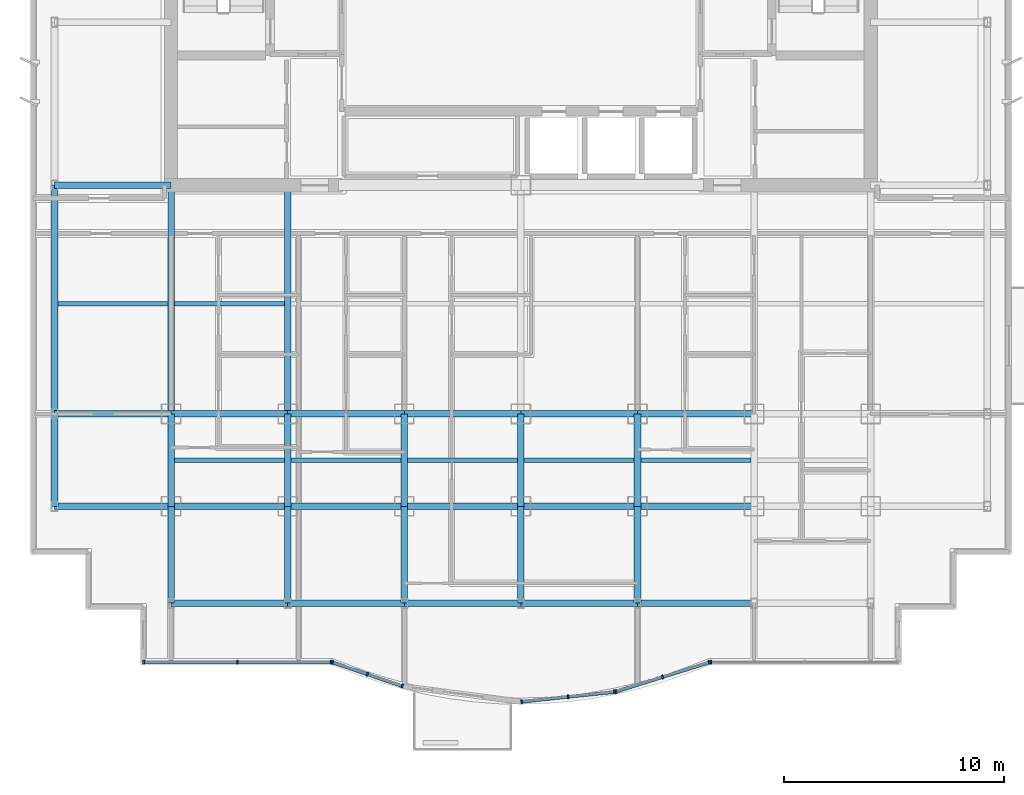
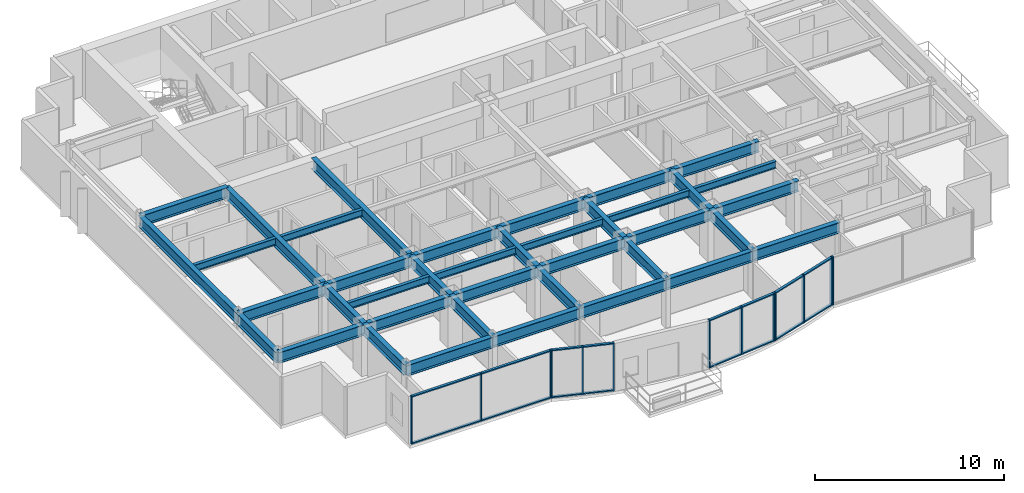
# One storey, part 2 of 11: 39 beams, 29 members, 5 elements without a shape of their own.
"""IFC4 building model written with IfcOpenShell, lengths in metres."""

import ifcopenshell
import ifcopenshell.guid

model = None  # the IFC model being written
_history = None  # IfcOwnerHistory: only IFC2X3 demands one
_inside = {}  # id of a spatial element -> (the spatial element, [elements in it])
_under = {}  # id of a project, library or spatial element -> (it, [spatial elements below it])
_declared = {}  # id of a project -> (the project, [libraries it declares])
_typed = {}  # id of a type object -> (the type object, [elements of that type])
_made_of = {}  # id of a material, layer set ... -> (it, [elements and type objects made of it])


def new_model(schema):
    """Start an empty IFC model of exactly this schema.

    Asked for "IFC4X3", IfcOpenShell would pick the latest addendum, in which some entities
    have other attributes; the version numbers below select the first issue.
    IFC2X3 requires an IfcOwnerHistory on every rooted entity: one is made here for all.
    """
    global model, _history
    if schema == "IFC4X3":
        model = ifcopenshell.file(schema_version=(4, 3, 0, 0))
    else:
        model = ifcopenshell.file(schema=schema)
    _inside.clear()
    _under.clear()
    _declared.clear()
    _typed.clear()
    _made_of.clear()
    _history = None
    if model.schema == "IFC2X3":
        org = make("IfcOrganization", Name="unknown")
        user = make(
            "IfcPersonAndOrganization",
            ThePerson=make("IfcPerson", FamilyName="unknown"),
            TheOrganization=org,
        )
        app = make(
            "IfcApplication",
            ApplicationDeveloper=org,
            Version="unknown",
            ApplicationFullName="unknown",
            ApplicationIdentifier="unknown",
        )
        _history = make(
            "IfcOwnerHistory",
            OwningUser=user,
            OwningApplication=app,
            ChangeAction="ADDED",
            CreationDate=0,
        )
    return model


def make(cls, **values):
    """One entity of the class cls with the attributes given. An attribute that is None is left unset."""
    return model.create_entity(
        cls, **{name: value for name, value in values.items() if value is not None}
    )


def rooted(cls, **values):
    """An entity with a GlobalId (a new one), such as an element, a storey or a relation."""
    return make(cls, GlobalId=ifcopenshell.guid.new(), OwnerHistory=_history, **values)


def si_unit(unit_type, name, prefix=None):
    """IfcSIUnit, for example si_unit("LENGTHUNIT", "METRE", prefix="MILLI")."""
    return make("IfcSIUnit", UnitType=unit_type, Prefix=prefix, Name=name)


def assignment(units):
    """IfcUnitAssignment: the units of a project."""
    return None if units is None else make("IfcUnitAssignment", Units=units)


def point(xyz):
    """IfcCartesianPoint."""
    return None if xyz is None else make("IfcCartesianPoint", Coordinates=xyz)


def direction(xyz):
    """IfcDirection."""
    return None if xyz is None else make("IfcDirection", DirectionRatios=xyz)


def frame(location, z_axis=None, x_axis=None):
    """IfcAxis2Placement3D, a coordinate frame: its origin and axes. An axis left out is left unset."""
    return make(
        "IfcAxis2Placement3D",
        Location=point(location),
        Axis=direction(z_axis),
        RefDirection=direction(x_axis),
    )


def frame_2d(location, x_axis=None):
    """IfcAxis2Placement2D, a coordinate frame in the plane: its origin and x axis."""
    return make(
        "IfcAxis2Placement2D", Location=point(location), RefDirection=direction(x_axis)
    )


def origin():
    """The frame at (0, 0, 0) with its axes left unset."""
    return frame((0.0, 0.0, 0.0))


def origin_2d():
    """The frame at (0, 0) in the plane with its x axis left unset."""
    return frame_2d((0.0, 0.0))


def place(relative_to, where):
    """IfcLocalPlacement: puts the frame where relative to a parent placement (None: the world)."""
    return make(
        "IfcLocalPlacement", PlacementRelTo=relative_to, RelativePlacement=where
    )


def context(
    kind, dimensions, precision=None, world=None, true_north=None, identifier=None
):
    """IfcGeometricRepresentationContext, for example the 3D "Model" context."""
    return make(
        "IfcGeometricRepresentationContext",
        ContextIdentifier=identifier,
        ContextType=kind,
        CoordinateSpaceDimension=dimensions,
        Precision=precision,
        WorldCoordinateSystem=world,
        TrueNorth=true_north,
    )


def subcontext(parent, identifier, kind, view, scale=None):
    """IfcGeometricRepresentationSubContext, for example "Body" below "Model"."""
    return make(
        "IfcGeometricRepresentationSubContext",
        ContextIdentifier=identifier,
        ContextType=kind,
        ParentContext=parent,
        TargetScale=scale,
        TargetView=view,
    )


def project(units=None, contexts=None):
    """IfcProject with its units and contexts."""
    return rooted(
        "IfcProject",
        Name="project",
        RepresentationContexts=contexts,
        UnitsInContext=assignment(units),
    )


def spatial(cls, under=None, at=None, **own):
    """A site, building, storey or space (cls), placed at a placement, below another one or the project."""
    s = rooted(cls, ObjectPlacement=at, **own)
    if under is not None:
        _under.setdefault(under.id(), (under, []))[1].append(s)
    return s


def profile(cls, at=None, kind="AREA", **sizes):
    """A parametric profile (cls). Its sizes go by their IFC names, for example OverallWidth=200.0."""
    return make(cls, ProfileType=kind, Position=at, **sizes)


def rectangle(**sizes):
    """IfcRectangleProfileDef."""
    return profile("IfcRectangleProfileDef", **sizes)


def i_section(**sizes):
    """IfcIShapeProfileDef."""
    return profile("IfcIShapeProfileDef", **sizes)


def extrude(swept, where, along, depth):
    """IfcExtrudedAreaSolid: the profile swept, set in the frame where, extruded along a direction by depth."""
    return make(
        "IfcExtrudedAreaSolid",
        SweptArea=swept,
        Position=where,
        ExtrudedDirection=direction(along),
        Depth=depth,
    )


def shape(context_of_items, identifier, shape_type, items):
    """IfcShapeRepresentation: the items that make up one representation, for example the "Body"."""
    return make(
        "IfcShapeRepresentation",
        ContextOfItems=context_of_items,
        RepresentationIdentifier=identifier,
        RepresentationType=shape_type,
        Items=items,
    )


def source(mapping_origin, context_of_items, identifier, shape_type, items):
    """IfcRepresentationMap: a shape defined once, which mapped items show again and again."""
    return make(
        "IfcRepresentationMap",
        MappingOrigin=mapping_origin,
        MappedRepresentation=shape(context_of_items, identifier, shape_type, items),
    )


def transform(
    local_origin,
    x_axis=None,
    y_axis=None,
    z_axis=None,
    scale=None,
    scale2=None,
    scale3=None,
    uniform=True,
):
    """IfcCartesianTransformationOperator3D, or its non-uniform kind. x_axis, y_axis, z_axis: its Axis1, 2, 3."""
    if uniform:
        return make(
            "IfcCartesianTransformationOperator3D",
            Axis1=direction(x_axis),
            Axis2=direction(y_axis),
            LocalOrigin=point(local_origin),
            Scale=scale,
            Axis3=direction(z_axis),
        )
    return make(
        "IfcCartesianTransformationOperator3DnonUniform",
        Axis1=direction(x_axis),
        Axis2=direction(y_axis),
        LocalOrigin=point(local_origin),
        Scale=scale,
        Axis3=direction(z_axis),
        Scale2=scale2,
        Scale3=scale3,
    )


def mapped(mapping_source, mapping_target):
    """IfcMappedItem: shows the shape of a source again, moved by a transform."""
    return make(
        "IfcMappedItem", MappingSource=mapping_source, MappingTarget=mapping_target
    )


def material(Name=None, Category=None):
    """IfcMaterial."""
    return make("IfcMaterial", Name=Name, Category=Category)


def layer(
    of_material, thickness, ventilated=None, Name=None, Category=None, Priority=None
):
    """IfcMaterialLayer: one layer of a wall or slab, of a material (None: an air gap)."""
    return make(
        "IfcMaterialLayer",
        Material=of_material,
        LayerThickness=thickness,
        IsVentilated=ventilated,
        Name=Name,
        Category=Category,
        Priority=Priority,
    )


def layer_set(layers, Name=None):
    """IfcMaterialLayerSet."""
    return make("IfcMaterialLayerSet", MaterialLayers=layers, LayerSetName=Name)


def material_profile(
    of_material, cross_section, Name=None, Category=None, Priority=None
):
    """IfcMaterialProfile: a cross section and its material."""
    return make(
        "IfcMaterialProfile",
        Name=Name,
        Material=of_material,
        Profile=cross_section,
        Priority=Priority,
        Category=Category,
    )


def profile_set(profiles, Name=None, composite=None):
    """IfcMaterialProfileSet."""
    return make(
        "IfcMaterialProfileSet",
        Name=Name,
        MaterialProfiles=profiles,
        CompositeProfile=composite,
    )


def made_of(thing, what):
    """Note that an element or type object is made of a material, layer set ...; save() writes the relation."""
    if what is not None:
        _made_of.setdefault(what.id(), (what, []))[1].append(thing)
    return thing


def type_object(cls, material=None, **own):
    """A type object (cls), such as IfcWallType, which elements share."""
    return made_of(rooted(cls, **own), material)


def element(
    cls,
    number,
    at=None,
    inside=None,
    cuts=None,
    type_object=None,
    material=None,
    context=None,
    identifier="Body",
    shape_type=None,
    held_by="IfcProductDefinitionShape",
    body=None,
    shapes=None,
    **own,
):
    """One element of the class cls, such as IfcWall. Its Tag is "e" and its number.

    at: its placement. inside: the storey or other place that contains it. cuts: it is an
    opening in that element (IfcRelVoidsElement). A single representation is given by context,
    identifier, shape_type and body (its items); several are given by shapes. held_by: the class
    of the entity that holds the representations. save() writes the other relations.
    """
    e = rooted(cls, Tag="e%d" % number, ObjectPlacement=at, **own)
    if body is not None:
        shapes = [shape(context, identifier, shape_type, body)]
    if shapes is not None:
        e.Representation = make(held_by, Representations=shapes)
    if inside is not None:
        _inside.setdefault(inside.id(), (inside, []))[1].append(e)
    if cuts is not None:
        rooted(
            "IfcRelVoidsElement", RelatingBuildingElement=cuts, RelatedOpeningElement=e
        )
    if type_object is not None:
        _typed.setdefault(type_object.id(), (type_object, []))[1].append(e)
    return made_of(e, material)


def aggregate(whole, parts):
    """IfcRelAggregates: a whole, such as a stair, and the parts it consists of."""
    return rooted("IfcRelAggregates", RelatingObject=whole, RelatedObjects=parts)


def save(model, path):
    """Write the relations noted so far, then the file.

    IfcRelAggregates (storeys below a building ...), IfcRelContainedInSpatialStructure (elements
    in a storey), IfcRelDefinesByType, IfcRelAssociatesMaterial and IfcRelDeclares: one each for
    every whole, place, type object, material and project.
    """
    for whole, parts in _under.values():
        aggregate(whole, parts)
    for where, things in _inside.values():
        rooted(
            "IfcRelContainedInSpatialStructure",
            RelatedElements=things,
            RelatingStructure=where,
        )
    for kind, things in _typed.values():
        rooted("IfcRelDefinesByType", RelatedObjects=things, RelatingType=kind)
    for what, things in _made_of.values():
        rooted("IfcRelAssociatesMaterial", RelatedObjects=things, RelatingMaterial=what)
    for by, libraries in _declared.values():
        rooted("IfcRelDeclares", RelatingContext=by, RelatedDefinitions=libraries)
    model.write(path)


model = new_model("IFC4")

# Units and contexts
model_context = context("Model", 3, precision=1e-05, world=origin(), true_north=direction((0.0, 1.0)))
body_context = subcontext(model_context, "Body", "Model", "MODEL_VIEW")
ifc_project = project(units=[si_unit("LENGTHUNIT", "METRE"), si_unit("AREAUNIT", "SQUARE_METRE"), si_unit("VOLUMEUNIT", "CUBIC_METRE"), si_unit("PLANEANGLEUNIT", "RADIAN"), si_unit("MASSUNIT", "GRAM", prefix="KILO")], contexts=[model_context])

# Site, building, storey
site_placement = place(None, origin())
site = spatial("IfcSite", under=ifc_project, at=site_placement, CompositionType="ELEMENT")
building_placement = place(site_placement, origin())
building = spatial("IfcBuilding", under=site, at=building_placement, Name="Qianlan Lanfeng Residences", CompositionType="ELEMENT")
storey_placement = place(building_placement, frame((0.0, 0.0, 145.800048828125)))
storey = spatial("IfcBuildingStorey", under=building, at=storey_placement, Name="L39", CompositionType="ELEMENT", Elevation=145.800048828125)

# Beams
ifc_material_1 = material(Name="Steel SN490B", Category="steel")
ifc_material_profile_1 = material_profile(ifc_material_1, i_section(OverallWidth=0.300048828125, OverallDepth=0.699951171875, WebThickness=0.012939453125, FlangeThickness=0.02392578125, at=origin_2d()), Name="H 700x300x13x24")
ifc_profile_set_1 = profile_set([ifc_material_profile_1], Name="Steel SN490B")
beam_type_1 = type_object("IfcBeamType", Name="G-750", PredefinedType="BEAM", material=ifc_profile_set_1)
beam_1_placement = place(storey_placement, frame((5.300048828125, 10.60009765625, 2.75), z_axis=(1.0, 0.0, 0.0), x_axis=(0.0, 1.0, 0.0)))
element("IfcBeam", 1, at=beam_1_placement, inside=storey, type_object=beam_type_1, Name="Structural beam G-750", PredefinedType="BEAM", context=body_context, shape_type="SweptSolid", body=[
    extrude(i_section(OverallWidth=0.300048828125, OverallDepth=0.699951171875, WebThickness=0.012939453125, FlangeThickness=0.02392578125, at=origin_2d()), origin(), (0.0, 0.0, 1.0), 5.300048828125),
])
beam_2_placement = place(storey_placement, frame((10.60009765625, 10.60009765625, 2.75), z_axis=(1.0, 0.0, 0.0), x_axis=(0.0, 1.0, 0.0)))
element("IfcBeam", 2, at=beam_2_placement, inside=storey, type_object=beam_type_1, Name="Structural beam G-750", PredefinedType="BEAM", context=body_context, shape_type="SweptSolid", body=[
    extrude(i_section(OverallWidth=0.300048828125, OverallDepth=0.699951171875, WebThickness=0.012939453125, FlangeThickness=0.02392578125, at=origin_2d()), origin(), (0.0, 0.0, 1.0), 5.2998046875),
])
for number, where, z_axis, x_axis, name in (
    (3, (15.89990234375, 10.60009765625, 2.75), (1.0, 0.0, 0.0), (0.0, 1.0, 0.0), "Structural beam G-750"),
    (4, (21.199951171875, 10.60009765625, 2.75), (1.0, 0.0, 0.0), (0.0, 1.0, 0.0), "Structural beam G-750"),
    (5, (26.5, 10.60009765625, 2.75), (1.0, 0.0, 0.0), (0.0, 1.0, 0.0), "Structural beam G-750"),
    (6, (31.800048828125, 10.60009765625, 2.75), (1.0, 0.0, 0.0), (0.0, 1.0, 0.0), "Structural beam G-750"),
    (7, (5.300048828125, 14.800048828125, 2.75), (1.0, 0.0, 0.0), (0.0, 1.0, 0.0), "Structural beam G-750"),
):
    element("IfcBeam", number, at=place(storey_placement, frame(where, z_axis=z_axis, x_axis=x_axis)), inside=storey, type_object=beam_type_1, Name=name, PredefinedType="BEAM", context=body_context, shape_type="SweptSolid", body=[
        extrude(i_section(OverallWidth=0.300048828125, OverallDepth=0.699951171875, WebThickness=0.012939453125, FlangeThickness=0.02392578125, at=origin_2d()), origin(), (0.0, 0.0, 1.0), 5.300048828125),
    ])
beam_3_placement = place(storey_placement, frame((10.60009765625, 14.800048828125, 2.75), z_axis=(1.0, 0.0, 0.0), x_axis=(0.0, 1.0, 0.0)))
element("IfcBeam", 8, at=beam_3_placement, inside=storey, type_object=beam_type_1, Name="Structural beam G-750", PredefinedType="BEAM", context=body_context, shape_type="SweptSolid", body=[
    extrude(i_section(OverallWidth=0.300048828125, OverallDepth=0.699951171875, WebThickness=0.012939453125, FlangeThickness=0.02392578125, at=origin_2d()), origin(), (0.0, 0.0, 1.0), 5.2998046875),
])
for number, where, z_axis, x_axis, name in (
    (9, (15.89990234375, 14.800048828125, 2.75), (1.0, 0.0, 0.0), (0.0, 1.0, 0.0), "Structural beam G-750"),
    (10, (21.199951171875, 14.800048828125, 2.75), (1.0, 0.0, 0.0), (0.0, 1.0, 0.0), "Structural beam G-750"),
    (11, (26.5, 14.800048828125, 2.75), (1.0, 0.0, 0.0), (0.0, 1.0, 0.0), "Structural beam G-750"),
    (12, (31.800048828125, 14.800048828125, 2.75), (1.0, 0.0, 0.0), (0.0, 1.0, 0.0), "Structural beam G-750"),
    (13, (5.300048828125, 25.199951171875, 2.75), (1.0, 0.0, 0.0), (0.0, 1.0, 0.0), "Structural beam G-750"),
):
    element("IfcBeam", number, at=place(storey_placement, frame(where, z_axis=z_axis, x_axis=x_axis)), inside=storey, type_object=beam_type_1, Name=name, PredefinedType="BEAM", context=body_context, shape_type="SweptSolid", body=[
        extrude(i_section(OverallWidth=0.300048828125, OverallDepth=0.699951171875, WebThickness=0.012939453125, FlangeThickness=0.02392578125, at=origin_2d()), origin(), (0.0, 0.0, 1.0), 5.300048828125),
    ])
beam_4_placement = place(storey_placement, frame((10.60009765625, 6.199951171875, 2.75), z_axis=(0.0, 1.0, 0.0), x_axis=(-1.0, 0.0, 0.0)))
element("IfcBeam", 14, at=beam_4_placement, inside=storey, type_object=beam_type_1, Name="Structural beam G-750", PredefinedType="BEAM", context=body_context, shape_type="SweptSolid", body=[
    extrude(i_section(OverallWidth=0.300048828125, OverallDepth=0.699951171875, WebThickness=0.012939453125, FlangeThickness=0.02392578125, at=origin_2d()), origin(), (0.0, 0.0, 1.0), 4.400146484375),
])
beam_5_placement = place(storey_placement, frame((10.60009765625, 10.60009765625, 2.75), z_axis=(0.0, 1.0, 0.0), x_axis=(-1.0, 0.0, 0.0)))
element("IfcBeam", 15, at=beam_5_placement, inside=storey, type_object=beam_type_1, Name="Structural beam G-750", PredefinedType="BEAM", context=body_context, shape_type="SweptSolid", body=[
    extrude(i_section(OverallWidth=0.300048828125, OverallDepth=0.699951171875, WebThickness=0.012939453125, FlangeThickness=0.02392578125, at=origin_2d()), origin(), (0.0, 0.0, 1.0), 4.199951171875),
])
beam_6_placement = place(storey_placement, frame((10.60009765625, 14.800048828125, 2.75), z_axis=(0.0, 1.0, 0.0), x_axis=(-1.0, 0.0, 0.0)))
element("IfcBeam", 16, at=beam_6_placement, inside=storey, type_object=beam_type_1, Name="Structural beam G-750", PredefinedType="BEAM", context=body_context, shape_type="SweptSolid", body=[
    extrude(i_section(OverallWidth=0.300048828125, OverallDepth=0.699951171875, WebThickness=0.012939453125, FlangeThickness=0.02392578125, at=origin_2d()), origin(), (0.0, 0.0, 1.0), 10.39990234375),
])
beam_7_placement = place(storey_placement, frame((15.89990234375, 6.199951171875, 2.75), z_axis=(0.0, 1.0, 0.0), x_axis=(-1.0, 0.0, 0.0)))
element("IfcBeam", 17, at=beam_7_placement, inside=storey, type_object=beam_type_1, Name="Structural beam G-750", PredefinedType="BEAM", context=body_context, shape_type="SweptSolid", body=[
    extrude(i_section(OverallWidth=0.300048828125, OverallDepth=0.699951171875, WebThickness=0.012939453125, FlangeThickness=0.02392578125, at=origin_2d()), origin(), (0.0, 0.0, 1.0), 4.400146484375),
])
beam_8_placement = place(storey_placement, frame((15.89990234375, 10.60009765625, 2.75), z_axis=(0.0, 1.0, 0.0), x_axis=(-1.0, 0.0, 0.0)))
element("IfcBeam", 18, at=beam_8_placement, inside=storey, type_object=beam_type_1, Name="Structural beam G-750", PredefinedType="BEAM", context=body_context, shape_type="SweptSolid", body=[
    extrude(i_section(OverallWidth=0.300048828125, OverallDepth=0.699951171875, WebThickness=0.012939453125, FlangeThickness=0.02392578125, at=origin_2d()), origin(), (0.0, 0.0, 1.0), 4.199951171875),
])
beam_9_placement = place(storey_placement, frame((15.89990234375, 14.800048828125, 2.75), z_axis=(0.0, 1.0, 0.0), x_axis=(-1.0, 0.0, 0.0)))
element("IfcBeam", 19, at=beam_9_placement, inside=storey, type_object=beam_type_1, Name="Structural beam G-750", PredefinedType="BEAM", context=body_context, shape_type="SweptSolid", body=[
    extrude(i_section(OverallWidth=0.300048828125, OverallDepth=0.699951171875, WebThickness=0.012939453125, FlangeThickness=0.02392578125, at=origin_2d()), origin(), (0.0, 0.0, 1.0), 10.39990234375),
])
beam_10_placement = place(storey_placement, frame((21.199951171875, 6.199951171875, 2.75), z_axis=(0.0, 1.0, 0.0), x_axis=(-1.0, 0.0, 0.0)))
element("IfcBeam", 20, at=beam_10_placement, inside=storey, type_object=beam_type_1, Name="Structural beam G-750", PredefinedType="BEAM", context=body_context, shape_type="SweptSolid", body=[
    extrude(i_section(OverallWidth=0.300048828125, OverallDepth=0.699951171875, WebThickness=0.012939453125, FlangeThickness=0.02392578125, at=origin_2d()), origin(), (0.0, 0.0, 1.0), 4.400146484375),
])
beam_11_placement = place(storey_placement, frame((21.199951171875, 10.60009765625, 2.75), z_axis=(0.0, 1.0, 0.0), x_axis=(-1.0, 0.0, 0.0)))
element("IfcBeam", 21, at=beam_11_placement, inside=storey, type_object=beam_type_1, Name="Structural beam G-750", PredefinedType="BEAM", context=body_context, shape_type="SweptSolid", body=[
    extrude(i_section(OverallWidth=0.300048828125, OverallDepth=0.699951171875, WebThickness=0.012939453125, FlangeThickness=0.02392578125, at=origin_2d()), origin(), (0.0, 0.0, 1.0), 4.199951171875),
])
beam_12_placement = place(storey_placement, frame((26.5, 6.199951171875, 2.75), z_axis=(0.0, 1.0, 0.0), x_axis=(-1.0, 0.0, 0.0)))
element("IfcBeam", 22, at=beam_12_placement, inside=storey, type_object=beam_type_1, Name="Structural beam G-750", PredefinedType="BEAM", context=body_context, shape_type="SweptSolid", body=[
    extrude(i_section(OverallWidth=0.300048828125, OverallDepth=0.699951171875, WebThickness=0.012939453125, FlangeThickness=0.02392578125, at=origin_2d()), origin(), (0.0, 0.0, 1.0), 4.400146484375),
])
beam_13_placement = place(storey_placement, frame((26.5, 10.60009765625, 2.75), z_axis=(0.0, 1.0, 0.0), x_axis=(-1.0, 0.0, 0.0)))
element("IfcBeam", 23, at=beam_13_placement, inside=storey, type_object=beam_type_1, Name="Structural beam G-750", PredefinedType="BEAM", context=body_context, shape_type="SweptSolid", body=[
    extrude(i_section(OverallWidth=0.300048828125, OverallDepth=0.699951171875, WebThickness=0.012939453125, FlangeThickness=0.02392578125, at=origin_2d()), origin(), (0.0, 0.0, 1.0), 4.199951171875),
])
beam_14_placement = place(storey_placement, frame((31.800048828125, 6.199951171875, 2.75), z_axis=(0.0, 1.0, 0.0), x_axis=(-1.0, 0.0, 0.0)))
element("IfcBeam", 24, at=beam_14_placement, inside=storey, type_object=beam_type_1, Name="Structural beam G-750", PredefinedType="BEAM", context=body_context, shape_type="SweptSolid", body=[
    extrude(i_section(OverallWidth=0.300048828125, OverallDepth=0.699951171875, WebThickness=0.012939453125, FlangeThickness=0.02392578125, at=origin_2d()), origin(), (0.0, 0.0, 1.0), 4.400146484375),
])
beam_15_placement = place(storey_placement, frame((31.800048828125, 10.60009765625, 2.75), z_axis=(0.0, 1.0, 0.0), x_axis=(-1.0, 0.0, 0.0)))
element("IfcBeam", 25, at=beam_15_placement, inside=storey, type_object=beam_type_1, Name="Structural beam G-750", PredefinedType="BEAM", context=body_context, shape_type="SweptSolid", body=[
    extrude(i_section(OverallWidth=0.300048828125, OverallDepth=0.699951171875, WebThickness=0.012939453125, FlangeThickness=0.02392578125, at=origin_2d()), origin(), (0.0, 0.0, 1.0), 4.199951171875),
])
ifc_material_profile_2 = material_profile(ifc_material_1, i_section(OverallWidth=0.199951171875, OverallDepth=0.449951171875, WebThickness=0.009033203125, FlangeThickness=0.013916015625, at=origin_2d()), Name="H 450x200x9x14")
ifc_profile_set_2 = profile_set([ifc_material_profile_2], Name="Steel SN490B")
beam_type_2 = type_object("IfcBeamType", Name="J-450", PredefinedType="JOIST", material=ifc_profile_set_2)
for number, where, z_axis, x_axis, name in (
    (26, (10.75, 12.699951171875, 2.875), (1.0, 0.0, 0.0), (0.0, 1.0, 0.0), "Structural beam J-450"),
    (27, (16.050048828125, 12.699951171875, 2.875), (1.0, 0.0, 0.0), (0.0, 1.0, 0.0), "Structural beam J-450"),
    (28, (21.35009765625, 12.699951171875, 2.875), (1.0, 0.0, 0.0), (0.0, 1.0, 0.0), "Structural beam J-450"),
    (29, (26.64990234375, 12.699951171875, 2.875), (1.0, 0.0, 0.0), (0.0, 1.0, 0.0), "Structural beam J-450"),
    (30, (31.949951171875, 12.699951171875, 2.875), (1.0, 0.0, 0.0), (0.0, 1.0, 0.0), "Structural beam J-450"),
    (31, (5.449951171875, 19.800048828125, 2.875), (1.0, 0.0, 0.0), (0.0, 1.0, 0.0), "Structural beam J-450"),
    (32, (10.75, 19.800048828125, 2.875), (1.0, 0.0, 0.0), (0.0, 1.0, 0.0), "Structural beam J-450"),
):
    element("IfcBeam", number, at=place(storey_placement, frame(where, z_axis=z_axis, x_axis=x_axis)), inside=storey, type_object=beam_type_2, Name=name, PredefinedType="JOIST", context=body_context, shape_type="SweptSolid", body=[
        extrude(i_section(OverallWidth=0.199951171875, OverallDepth=0.449951171875, WebThickness=0.009033203125, FlangeThickness=0.013916015625, at=origin_2d()), origin(), (0.0, 0.0, 1.0), 5.0),
    ])
ifc_material_profile_3 = material_profile(ifc_material_1, i_section(OverallWidth=0.300048828125, OverallDepth=0.699951171875, WebThickness=0.012939453125, FlangeThickness=0.02392578125, at=origin_2d()), Name="H 700x300x13x24")
ifc_profile_set_3 = profile_set([ifc_material_profile_3], Name="Steel SN490B")
beam_type_3 = type_object("IfcBeamType", Name="SG-750", PredefinedType="SPANDREL", material=ifc_profile_set_3)
beam_16_placement = place(storey_placement, frame((10.60009765625, 6.199951171875, 2.739990234375), z_axis=(1.0, 0.0, 0.0), x_axis=(0.0, 1.0, 0.0)))
element("IfcBeam", 33, at=beam_16_placement, inside=storey, type_object=beam_type_3, Name="Structural beam SG-750", PredefinedType="SPANDREL", context=body_context, shape_type="SweptSolid", body=[
    extrude(i_section(OverallWidth=0.300048828125, OverallDepth=0.699951171875, WebThickness=0.012939453125, FlangeThickness=0.02392578125, at=origin_2d()), origin(), (0.0, 0.0, 1.0), 5.2998046875),
])
for number, where, z_axis, x_axis, name in (
    (34, (15.89990234375, 6.199951171875, 2.739990234375), (1.0, 0.0, 0.0), (0.0, 1.0, 0.0), "Structural beam SG-750"),
    (35, (21.199951171875, 6.199951171875, 2.739990234375), (1.0, 0.0, 0.0), (0.0, 1.0, 0.0), "Structural beam SG-750"),
    (36, (26.5, 6.199951171875, 2.739990234375), (1.0, 0.0, 0.0), (0.0, 1.0, 0.0), "Structural beam SG-750"),
    (37, (31.800048828125, 6.199951171875, 2.739990234375), (1.0, 0.0, 0.0), (0.0, 1.0, 0.0), "Structural beam SG-750"),
):
    element("IfcBeam", number, at=place(storey_placement, frame(where, z_axis=z_axis, x_axis=x_axis)), inside=storey, type_object=beam_type_3, Name=name, PredefinedType="SPANDREL", context=body_context, shape_type="SweptSolid", body=[
        extrude(i_section(OverallWidth=0.300048828125, OverallDepth=0.699951171875, WebThickness=0.012939453125, FlangeThickness=0.02392578125, at=origin_2d()), origin(), (0.0, 0.0, 1.0), 5.300048828125),
    ])
beam_17_placement = place(storey_placement, frame((5.300048828125, 10.60009765625, 2.739990234375), z_axis=(0.0, 1.0, 0.0), x_axis=(-1.0, 0.0, 0.0)))
element("IfcBeam", 38, at=beam_17_placement, inside=storey, type_object=beam_type_3, Name="Structural beam SG-750", PredefinedType="SPANDREL", context=body_context, shape_type="SweptSolid", body=[
    extrude(i_section(OverallWidth=0.300048828125, OverallDepth=0.699951171875, WebThickness=0.012939453125, FlangeThickness=0.02392578125, at=origin_2d()), origin(), (0.0, 0.0, 1.0), 4.199951171875),
])
beam_18_placement = place(storey_placement, frame((5.300048828125, 14.800048828125, 2.739990234375), z_axis=(0.0, 1.0, 0.0), x_axis=(-1.0, 0.0, 0.0)))
element("IfcBeam", 39, at=beam_18_placement, inside=storey, type_object=beam_type_3, Name="Structural beam SG-750", PredefinedType="SPANDREL", context=body_context, shape_type="SweptSolid", body=[
    extrude(i_section(OverallWidth=0.300048828125, OverallDepth=0.699951171875, WebThickness=0.012939453125, FlangeThickness=0.02392578125, at=origin_2d()), origin(), (0.0, 0.0, 1.0), 10.39990234375),
])

# Curtain wall, members
ifc_material_2 = material(Name="Anodised Bronze Aluminium 6063-T6", Category="aluminium")
ifc_layer = layer(ifc_material_2, 0.219970703125)
ifc_layer_set = layer_set([ifc_layer], Name="Anodised Bronze Aluminium 6063-T6")
curtain_wall_type = type_object("IfcCurtainWallType", Name="CW-04", PredefinedType="NOTDEFINED", material=ifc_layer_set)
curtain_wall_1_placement = place(storey_placement, origin())
curtain_wall_1 = element("IfcCurtainWall", 40, at=curtain_wall_1_placement, inside=storey, type_object=curtain_wall_type, Name="L39 Unitised Curtain Wall CWR-L39-01 (CW-04)", PredefinedType="NOTDEFINED")
ifc_material_profile_4 = material_profile(ifc_material_2, rectangle(XDim=0.074951171875, YDim=0.14990234375, at=origin_2d()), Name="ALU TRANSOM 75x150")
ifc_profile_set_4 = profile_set([ifc_material_profile_4], Name="Anodised Bronze Aluminium 6063-T6")
member_type_1 = type_object("IfcMemberType", Name="CWT-150", PredefinedType="USERDEFINED", material=ifc_profile_set_4)
shared_shape_1 = source(origin(), body_context, "Body", "SweptSolid", [
    extrude(rectangle(XDim=0.074951171875, YDim=0.14990234375, at=origin_2d()), origin(), (0.0, 0.0, 1.0), 4.178955078125),
])
member_1_placement = place(storey_placement, frame((9.39501953125, 3.52001953125, 0.037353515625), z_axis=(1.0, 0.0, 0.0), x_axis=(0.0, 0.0, 1.0)))
member_1 = element("IfcMember", 41, at=member_1_placement, type_object=member_type_1, Name="CWR-L39-01 Transom 1-BOT", ObjectType="TRANSOM", PredefinedType="USERDEFINED", context=body_context, shape_type="MappedRepresentation", body=[
    mapped(shared_shape_1, transform((0.0, 0.0, 0.0), scale=1.0)),
])
member_2_placement = place(storey_placement, frame((9.39501953125, 3.52001953125, 3.0625), z_axis=(1.0, 0.0, 0.0), x_axis=(0.0, 0.0, 1.0)))
member_2 = element("IfcMember", 42, at=member_2_placement, type_object=member_type_1, Name="CWR-L39-01 Transom 1-TOP", ObjectType="TRANSOM", PredefinedType="USERDEFINED", context=body_context, shape_type="MappedRepresentation", body=[
    mapped(shared_shape_1, transform((0.0, 0.0, 0.0), scale=1.0)),
])
member_3_placement = place(storey_placement, frame((13.64892578125, 3.52001953125, 0.037353515625), z_axis=(1.0, 0.0, 0.0), x_axis=(0.0, 0.0, 1.0)))
member_3 = element("IfcMember", 43, at=member_3_placement, type_object=member_type_1, Name="CWR-L39-01 Transom 2-BOT", ObjectType="TRANSOM", PredefinedType="USERDEFINED", context=body_context, shape_type="MappedRepresentation", body=[
    mapped(shared_shape_1, transform((0.0, 0.0, 0.0), scale=1.0)),
])
member_4_placement = place(storey_placement, frame((13.64892578125, 3.52001953125, 3.0625), z_axis=(1.0, 0.0, 0.0), x_axis=(0.0, 0.0, 1.0)))
member_4 = element("IfcMember", 44, at=member_4_placement, type_object=member_type_1, Name="CWR-L39-01 Transom 2-TOP", ObjectType="TRANSOM", PredefinedType="USERDEFINED", context=body_context, shape_type="MappedRepresentation", body=[
    mapped(shared_shape_1, transform((0.0, 0.0, 0.0), scale=1.0)),
])

curtain_wall_2_placement = place(storey_placement, origin())
curtain_wall_2 = element("IfcCurtainWall", 45, at=curtain_wall_2_placement, inside=storey, type_object=curtain_wall_type, Name="L39 Unitised Curtain Wall CWR-L39-02 (CW-04)", PredefinedType="NOTDEFINED")
shared_shape_2 = source(origin(), body_context, "Body", "SweptSolid", [
    extrude(rectangle(XDim=0.074951171875, YDim=0.14990234375, at=origin_2d()), origin(), (0.0, 0.0, 1.0), 1.597900390625),
])
member_5_placement = place(storey_placement, frame((17.97412109375, 3.495849609375, 0.037353515625), z_axis=(0.946818368584, -0.321768514481, 0.0), x_axis=(0.0, 0.0, 1.0)))
member_5 = element("IfcMember", 46, at=member_5_placement, type_object=member_type_1, Name="CWR-L39-02 Transom 1-BOT", ObjectType="TRANSOM", PredefinedType="USERDEFINED", context=body_context, shape_type="MappedRepresentation", body=[
    mapped(shared_shape_2, transform((0.0, 0.0, 0.0), scale=1.0)),
])
member_6_placement = place(storey_placement, frame((17.97412109375, 3.495849609375, 3.0625), z_axis=(0.946818368584, -0.321768514481, 0.0), x_axis=(0.0, 0.0, 1.0)))
member_6 = element("IfcMember", 47, at=member_6_placement, type_object=member_type_1, Name="CWR-L39-02 Transom 1-TOP", ObjectType="TRANSOM", PredefinedType="USERDEFINED", context=body_context, shape_type="MappedRepresentation", body=[
    mapped(shared_shape_2, transform((0.0, 0.0, 0.0), scale=1.0)),
])
member_7_placement = place(storey_placement, frame((19.55810546875, 2.95751953125, 0.037353515625), z_axis=(0.94677181357, -0.321905472195, 0.0), x_axis=(0.0, 0.0, 1.0)))
member_7 = element("IfcMember", 48, at=member_7_placement, type_object=member_type_1, Name="CWR-L39-02 Transom 2-BOT", ObjectType="TRANSOM", PredefinedType="USERDEFINED", context=body_context, shape_type="MappedRepresentation", body=[
    mapped(shared_shape_2, transform((0.0, 0.0, 0.0), scale=1.0)),
])
member_8_placement = place(storey_placement, frame((19.55810546875, 2.95751953125, 3.0625), z_axis=(0.94677181357, -0.321905472195, 0.0), x_axis=(0.0, 0.0, 1.0)))
member_8 = element("IfcMember", 49, at=member_8_placement, type_object=member_type_1, Name="CWR-L39-02 Transom 2-TOP", ObjectType="TRANSOM", PredefinedType="USERDEFINED", context=body_context, shape_type="MappedRepresentation", body=[
    mapped(shared_shape_2, transform((0.0, 0.0, 0.0), scale=1.0)),
])

curtain_wall_3_placement = place(storey_placement, origin())
curtain_wall_3 = element("IfcCurtainWall", 50, at=curtain_wall_3_placement, inside=storey, type_object=curtain_wall_type, Name="L39 Unitised Curtain Wall CWR-L39-03 (CW-04)", PredefinedType="NOTDEFINED")
shared_shape_3 = source(origin(), body_context, "Body", "SweptSolid", [
    extrude(rectangle(XDim=0.074951171875, YDim=0.14990234375, at=origin_2d()), origin(), (0.0, 0.0, 1.0), 2.04150390625),
])
member_9_placement = place(storey_placement, frame((26.57470703125, 1.727783203125, 0.037353515625), z_axis=(0.994573388245, 0.104037374988, 0.0), x_axis=(0.0, 0.0, 1.0)))
member_9 = element("IfcMember", 51, at=member_9_placement, type_object=member_type_1, Name="CWR-L39-03 Transom 1-BOT", ObjectType="TRANSOM", PredefinedType="USERDEFINED", context=body_context, shape_type="MappedRepresentation", body=[
    mapped(shared_shape_3, transform((0.0, 0.0, 0.0), scale=1.0)),
])
member_10_placement = place(storey_placement, frame((26.57470703125, 1.727783203125, 3.0625), z_axis=(0.994573388245, 0.104037374988, 0.0), x_axis=(0.0, 0.0, 1.0)))
member_10 = element("IfcMember", 52, at=member_10_placement, type_object=member_type_1, Name="CWR-L39-03 Transom 1-TOP", ObjectType="TRANSOM", PredefinedType="USERDEFINED", context=body_context, shape_type="MappedRepresentation", body=[
    mapped(shared_shape_3, transform((0.0, 0.0, 0.0), scale=1.0)),
])
shared_shape_4 = source(origin(), body_context, "Body", "SweptSolid", [
    extrude(rectangle(XDim=0.074951171875, YDim=0.14990234375, at=origin_2d()), origin(), (0.0, 0.0, 1.0), 2.041748046875),
])
member_11_placement = place(storey_placement, frame((28.6796875, 1.947998046875, 0.037353515625), z_axis=(0.994587046158, 0.103906725548, 0.0), x_axis=(0.0, 0.0, 1.0)))
member_11 = element("IfcMember", 53, at=member_11_placement, type_object=member_type_1, Name="CWR-L39-03 Transom 2-BOT", ObjectType="TRANSOM", PredefinedType="USERDEFINED", context=body_context, shape_type="MappedRepresentation", body=[
    mapped(shared_shape_4, transform((0.0, 0.0, 0.0), scale=1.0)),
])
member_12_placement = place(storey_placement, frame((28.6796875, 1.947998046875, 3.0625), z_axis=(0.994587046158, 0.103906725548, 0.0), x_axis=(0.0, 0.0, 1.0)))
member_12 = element("IfcMember", 54, at=member_12_placement, type_object=member_type_1, Name="CWR-L39-03 Transom 2-TOP", ObjectType="TRANSOM", PredefinedType="USERDEFINED", context=body_context, shape_type="MappedRepresentation", body=[
    mapped(shared_shape_4, transform((0.0, 0.0, 0.0), scale=1.0)),
])

curtain_wall_4_placement = place(storey_placement, origin())
curtain_wall_4 = element("IfcCurtainWall", 55, at=curtain_wall_4_placement, inside=storey, type_object=curtain_wall_type, Name="L39 Unitised Curtain Wall CWR-L39-04 (CW-04)", PredefinedType="NOTDEFINED")
shared_shape_5 = source(origin(), body_context, "Body", "SweptSolid", [
    extrude(rectangle(XDim=0.074951171875, YDim=0.14990234375, at=origin_2d()), origin(), (0.0, 0.0, 1.0), 2.14697265625),
])
member_13_placement = place(storey_placement, frame((30.856689453125, 2.1904296875, 0.037353515625), z_axis=(0.954194238714, 0.299187825296, 0.0), x_axis=(0.0, 0.0, 1.0)))
member_13 = element("IfcMember", 56, at=member_13_placement, type_object=member_type_1, Name="CWR-L39-04 Transom 1-BOT", ObjectType="TRANSOM", PredefinedType="USERDEFINED", context=body_context, shape_type="MappedRepresentation", body=[
    mapped(shared_shape_5, transform((0.0, 0.0, 0.0), scale=1.0)),
])
member_14_placement = place(storey_placement, frame((30.856689453125, 2.1904296875, 3.0625), z_axis=(0.954194238714, 0.299187825296, 0.0), x_axis=(0.0, 0.0, 1.0)))
member_14 = element("IfcMember", 57, at=member_14_placement, type_object=member_type_1, Name="CWR-L39-04 Transom 1-TOP", ObjectType="TRANSOM", PredefinedType="USERDEFINED", context=body_context, shape_type="MappedRepresentation", body=[
    mapped(shared_shape_5, transform((0.0, 0.0, 0.0), scale=1.0)),
])
member_15_placement = place(storey_placement, frame((32.976806640625, 2.855224609375, 0.037353515625), z_axis=(0.954194238714, 0.299187825296, 0.0), x_axis=(0.0, 0.0, 1.0)))
member_15 = element("IfcMember", 58, at=member_15_placement, type_object=member_type_1, Name="CWR-L39-04 Transom 2-BOT", ObjectType="TRANSOM", PredefinedType="USERDEFINED", context=body_context, shape_type="MappedRepresentation", body=[
    mapped(shared_shape_5, transform((0.0, 0.0, 0.0), scale=1.0)),
])
member_16_placement = place(storey_placement, frame((32.976806640625, 2.855224609375, 3.0625), z_axis=(0.954194238714, 0.299187825296, 0.0), x_axis=(0.0, 0.0, 1.0)))
member_16 = element("IfcMember", 59, at=member_16_placement, type_object=member_type_1, Name="CWR-L39-04 Transom 2-TOP", ObjectType="TRANSOM", PredefinedType="USERDEFINED", context=body_context, shape_type="MappedRepresentation", body=[
    mapped(shared_shape_5, transform((0.0, 0.0, 0.0), scale=1.0)),
])

# Member
ifc_material_profile_5 = material_profile(ifc_material_2, rectangle(XDim=0.074951171875, YDim=0.179931640625, at=origin_2d()), Name="ALU MULLION 75x180")
ifc_profile_set_5 = profile_set([ifc_material_profile_5], Name="Anodised Bronze Aluminium 6063-T6")
member_type_2 = type_object("IfcMemberType", Name="CWM-180", PredefinedType="MULLION", material=ifc_profile_set_5)
shared_shape_6 = source(origin(), body_context, "Body", "SweptSolid", [
    extrude(rectangle(XDim=0.074951171875, YDim=0.179931640625, at=origin_2d()), origin(), (0.0, 0.0, 1.0), 3.099853515625),
])
member_17_placement = place(storey_placement, frame((9.357421875, 3.52001953125, 0.0), z_axis=(0.0, 0.0, 1.0), x_axis=(1.0, 0.0, 0.0)))
member_17 = element("IfcMember", 60, at=member_17_placement, type_object=member_type_2, Name="CWR-L39-01 Mullion 1", PredefinedType="MULLION", context=body_context, shape_type="MappedRepresentation", body=[
    mapped(shared_shape_6, transform((0.0, 0.0, 0.0), scale=1.0)),
])

member_18_placement = place(storey_placement, frame((13.611572265625, 3.52001953125, 0.0), z_axis=(0.0, 0.0, 1.0), x_axis=(1.0, 0.0, 0.0)))
member_18 = element("IfcMember", 61, at=member_18_placement, type_object=member_type_2, Name="CWR-L39-01 Mullion 2", PredefinedType="MULLION", context=body_context, shape_type="MappedRepresentation", body=[
    mapped(shared_shape_6, transform((0.0, 0.0, 0.0), scale=1.0)),
])

member_19_placement = place(storey_placement, frame((17.865478515625, 3.52001953125, 0.0), z_axis=(0.0, 0.0, 1.0), x_axis=(1.0, 0.0, 0.0)))
member_19 = element("IfcMember", 62, at=member_19_placement, type_object=member_type_2, Name="CWR-L39-01 Mullion 3", PredefinedType="MULLION", context=body_context, shape_type="MappedRepresentation", body=[
    mapped(shared_shape_6, transform((0.0, 0.0, 0.0), scale=1.0)),
])

aggregate(curtain_wall_1, [member_17, member_18, member_19, member_1, member_2, member_3, member_4])

member_20_placement = place(storey_placement, frame((17.9384765625, 3.5078125, 0.0), z_axis=(0.0, 0.0, 1.0), x_axis=(0.946795963885, -0.321834433787, 0.0)))
member_20 = element("IfcMember", 63, at=member_20_placement, type_object=member_type_2, Name="CWR-L39-02 Mullion 1", PredefinedType="MULLION", context=body_context, shape_type="MappedRepresentation", body=[
    mapped(shared_shape_6, transform((0.0, 0.0, 0.0), scale=1.0)),
])

member_21_placement = place(storey_placement, frame((19.5224609375, 2.969482421875, 0.0), z_axis=(0.0, 0.0, 1.0), x_axis=(0.946795963885, -0.321834433787, 0.0)))
member_21 = element("IfcMember", 64, at=member_21_placement, type_object=member_type_2, Name="CWR-L39-02 Mullion 2", PredefinedType="MULLION", context=body_context, shape_type="MappedRepresentation", body=[
    mapped(shared_shape_6, transform((0.0, 0.0, 0.0), scale=1.0)),
])

member_22_placement = place(storey_placement, frame((21.1064453125, 2.43115234375, 0.0), z_axis=(0.0, 0.0, 1.0), x_axis=(0.946795963885, -0.321834433787, 0.0)))
member_22 = element("IfcMember", 65, at=member_22_placement, type_object=member_type_2, Name="CWR-L39-02 Mullion 3", PredefinedType="MULLION", context=body_context, shape_type="MappedRepresentation", body=[
    mapped(shared_shape_6, transform((0.0, 0.0, 0.0), scale=1.0)),
])

aggregate(curtain_wall_2, [member_20, member_21, member_22, member_5, member_6, member_7, member_8])

member_23_placement = place(storey_placement, frame((26.537353515625, 1.723876953125, 0.0), z_axis=(0.0, 0.0, 1.0), x_axis=(0.994579031105, 0.103983416397, 0.0)))
member_23 = element("IfcMember", 66, at=member_23_placement, type_object=member_type_2, Name="CWR-L39-03 Mullion 1", PredefinedType="MULLION", context=body_context, shape_type="MappedRepresentation", body=[
    mapped(shared_shape_6, transform((0.0, 0.0, 0.0), scale=1.0)),
])

member_24_placement = place(storey_placement, frame((28.642578125, 1.944091796875, 0.0), z_axis=(0.0, 0.0, 1.0), x_axis=(0.994579031105, 0.103983416397, 0.0)))
member_24 = element("IfcMember", 67, at=member_24_placement, type_object=member_type_2, Name="CWR-L39-03 Mullion 2", PredefinedType="MULLION", context=body_context, shape_type="MappedRepresentation", body=[
    mapped(shared_shape_6, transform((0.0, 0.0, 0.0), scale=1.0)),
])

member_25_placement = place(storey_placement, frame((30.747802734375, 2.1640625, 0.0), z_axis=(0.0, 0.0, 1.0), x_axis=(0.994579031105, 0.103983416397, 0.0)))
member_25 = element("IfcMember", 68, at=member_25_placement, type_object=member_type_2, Name="CWR-L39-03 Mullion 3", PredefinedType="MULLION", context=body_context, shape_type="MappedRepresentation", body=[
    mapped(shared_shape_6, transform((0.0, 0.0, 0.0), scale=1.0)),
])

aggregate(curtain_wall_3, [member_23, member_24, member_25, member_9, member_10, member_11, member_12])

member_26_placement = place(storey_placement, frame((30.82080078125, 2.17919921875, 0.0), z_axis=(0.0, 0.0, 1.0), x_axis=(0.954195954421, 0.299182353367, 0.0)))
member_26 = element("IfcMember", 69, at=member_26_placement, type_object=member_type_2, Name="CWR-L39-04 Mullion 1", PredefinedType="MULLION", context=body_context, shape_type="MappedRepresentation", body=[
    mapped(shared_shape_6, transform((0.0, 0.0, 0.0), scale=1.0)),
])

member_27_placement = place(storey_placement, frame((32.94091796875, 2.843994140625, 0.0), z_axis=(0.0, 0.0, 1.0), x_axis=(0.954195954421, 0.299182353367, 0.0)))
member_27 = element("IfcMember", 70, at=member_27_placement, type_object=member_type_2, Name="CWR-L39-04 Mullion 2", PredefinedType="MULLION", context=body_context, shape_type="MappedRepresentation", body=[
    mapped(shared_shape_6, transform((0.0, 0.0, 0.0), scale=1.0)),
])

member_28_placement = place(storey_placement, frame((35.061279296875, 3.5087890625, 0.0), z_axis=(0.0, 0.0, 1.0), x_axis=(0.954195954421, 0.299182353367, 0.0)))
member_28 = element("IfcMember", 71, at=member_28_placement, type_object=member_type_2, Name="CWR-L39-04 Mullion 3", PredefinedType="MULLION", context=body_context, shape_type="MappedRepresentation", body=[
    mapped(shared_shape_6, transform((0.0, 0.0, 0.0), scale=1.0)),
])

aggregate(curtain_wall_4, [member_26, member_27, member_28, member_13, member_14, member_15, member_16])

# Curtain wall, member
curtain_wall_5_placement = place(storey_placement, origin())
curtain_wall_5 = element("IfcCurtainWall", 72, at=curtain_wall_5_placement, inside=storey, type_object=curtain_wall_type, Name="L39 Unitised Curtain Wall CWR-L39-05 (CW-04)", PredefinedType="NOTDEFINED")
member_29_placement = place(storey_placement, frame((35.134521484375, 3.52001953125, 0.0), z_axis=(0.0, 0.0, 1.0), x_axis=(1.0, 0.0, 0.0)))
member_29 = element("IfcMember", 73, at=member_29_placement, type_object=member_type_2, Name="CWR-L39-05 Mullion 1", PredefinedType="MULLION", context=body_context, shape_type="MappedRepresentation", body=[
    mapped(shared_shape_6, transform((0.0, 0.0, 0.0), scale=1.0)),
])
aggregate(curtain_wall_5, [member_29])

save(model, "model.ifc")
